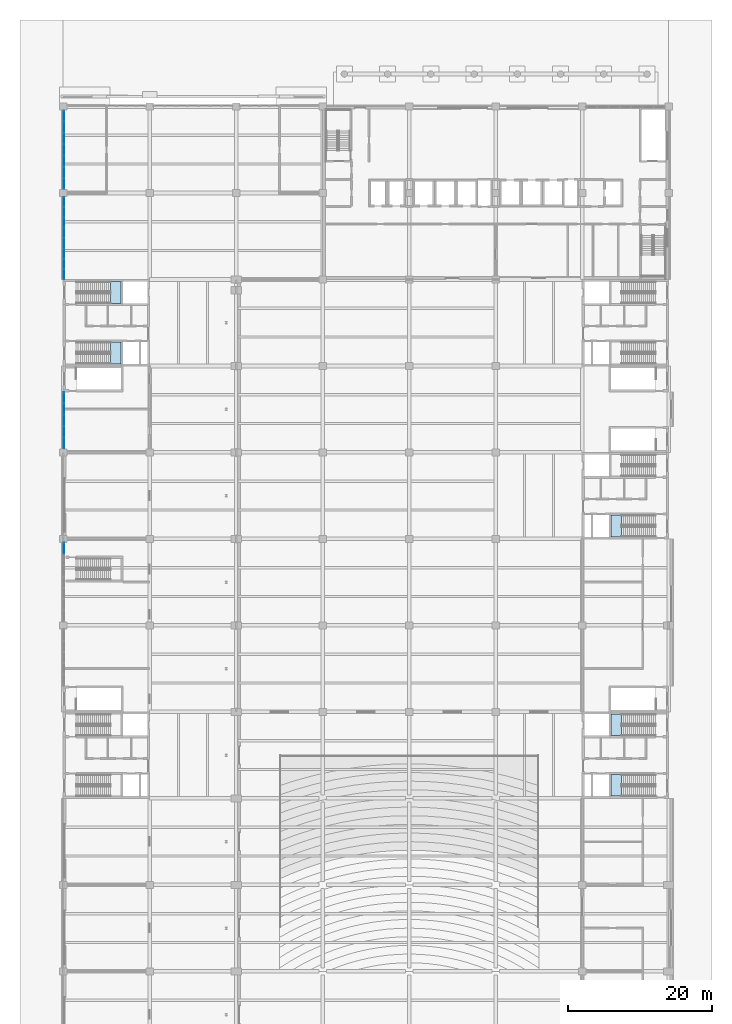
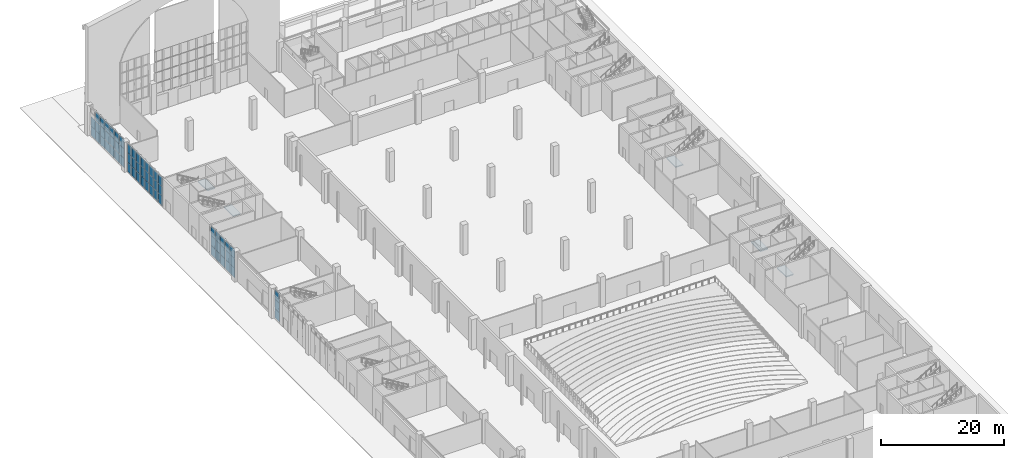
# One storey, part 28 of 59: 62 plates, 5 slabs, 9 elements without a shape of their own.
"""IFC4 building model written with IfcOpenShell, lengths in metres."""

import ifcopenshell
import ifcopenshell.guid

model = None  # the IFC model being written
_history = None  # IfcOwnerHistory: only IFC2X3 demands one
_inside = {}  # id of a spatial element -> (the spatial element, [elements in it])
_under = {}  # id of a project, library or spatial element -> (it, [spatial elements below it])
_declared = {}  # id of a project -> (the project, [libraries it declares])
_typed = {}  # id of a type object -> (the type object, [elements of that type])
_made_of = {}  # id of a material, layer set ... -> (it, [elements and type objects made of it])


def new_model(schema):
    """Start an empty IFC model of exactly this schema.

    Asked for "IFC4X3", IfcOpenShell would pick the latest addendum, in which some entities
    have other attributes; the version numbers below select the first issue.
    IFC2X3 requires an IfcOwnerHistory on every rooted entity: one is made here for all.
    """
    global model, _history
    if schema == "IFC4X3":
        model = ifcopenshell.file(schema_version=(4, 3, 0, 0))
    else:
        model = ifcopenshell.file(schema=schema)
    _inside.clear()
    _under.clear()
    _declared.clear()
    _typed.clear()
    _made_of.clear()
    _history = None
    if model.schema == "IFC2X3":
        org = make("IfcOrganization", Name="unknown")
        user = make(
            "IfcPersonAndOrganization",
            ThePerson=make("IfcPerson", FamilyName="unknown"),
            TheOrganization=org,
        )
        app = make(
            "IfcApplication",
            ApplicationDeveloper=org,
            Version="unknown",
            ApplicationFullName="unknown",
            ApplicationIdentifier="unknown",
        )
        _history = make(
            "IfcOwnerHistory",
            OwningUser=user,
            OwningApplication=app,
            ChangeAction="ADDED",
            CreationDate=0,
        )
    return model


def make(cls, **values):
    """One entity of the class cls with the attributes given. An attribute that is None is left unset."""
    return model.create_entity(
        cls, **{name: value for name, value in values.items() if value is not None}
    )


def rooted(cls, **values):
    """An entity with a GlobalId (a new one), such as an element, a storey or a relation."""
    return make(cls, GlobalId=ifcopenshell.guid.new(), OwnerHistory=_history, **values)


def si_unit(unit_type, name, prefix=None):
    """IfcSIUnit, for example si_unit("LENGTHUNIT", "METRE", prefix="MILLI")."""
    return make("IfcSIUnit", UnitType=unit_type, Prefix=prefix, Name=name)


def assignment(units):
    """IfcUnitAssignment: the units of a project."""
    return None if units is None else make("IfcUnitAssignment", Units=units)


def point(xyz):
    """IfcCartesianPoint."""
    return None if xyz is None else make("IfcCartesianPoint", Coordinates=xyz)


def direction(xyz):
    """IfcDirection."""
    return None if xyz is None else make("IfcDirection", DirectionRatios=xyz)


def frame(location, z_axis=None, x_axis=None):
    """IfcAxis2Placement3D, a coordinate frame: its origin and axes. An axis left out is left unset."""
    return make(
        "IfcAxis2Placement3D",
        Location=point(location),
        Axis=direction(z_axis),
        RefDirection=direction(x_axis),
    )


def frame_2d(location, x_axis=None):
    """IfcAxis2Placement2D, a coordinate frame in the plane: its origin and x axis."""
    return make(
        "IfcAxis2Placement2D", Location=point(location), RefDirection=direction(x_axis)
    )


def origin():
    """The frame at (0, 0, 0) with its axes left unset."""
    return frame((0.0, 0.0, 0.0))


def origin_2d():
    """The frame at (0, 0) in the plane with its x axis left unset."""
    return frame_2d((0.0, 0.0))


def place(relative_to, where):
    """IfcLocalPlacement: puts the frame where relative to a parent placement (None: the world)."""
    return make(
        "IfcLocalPlacement", PlacementRelTo=relative_to, RelativePlacement=where
    )


def context(
    kind, dimensions, precision=None, world=None, true_north=None, identifier=None
):
    """IfcGeometricRepresentationContext, for example the 3D "Model" context."""
    return make(
        "IfcGeometricRepresentationContext",
        ContextIdentifier=identifier,
        ContextType=kind,
        CoordinateSpaceDimension=dimensions,
        Precision=precision,
        WorldCoordinateSystem=world,
        TrueNorth=true_north,
    )


def subcontext(parent, identifier, kind, view, scale=None):
    """IfcGeometricRepresentationSubContext, for example "Body" below "Model"."""
    return make(
        "IfcGeometricRepresentationSubContext",
        ContextIdentifier=identifier,
        ContextType=kind,
        ParentContext=parent,
        TargetScale=scale,
        TargetView=view,
    )


def project(units=None, contexts=None):
    """IfcProject with its units and contexts."""
    return rooted(
        "IfcProject",
        Name="project",
        RepresentationContexts=contexts,
        UnitsInContext=assignment(units),
    )


def spatial(cls, under=None, at=None, **own):
    """A site, building, storey or space (cls), placed at a placement, below another one or the project."""
    s = rooted(cls, ObjectPlacement=at, **own)
    if under is not None:
        _under.setdefault(under.id(), (under, []))[1].append(s)
    return s


def polyline(points):
    """IfcPolyline through the points."""
    return make("IfcPolyline", Points=[point(p) for p in points])


def profile(cls, at=None, kind="AREA", **sizes):
    """A parametric profile (cls). Its sizes go by their IFC names, for example OverallWidth=200.0."""
    return make(cls, ProfileType=kind, Position=at, **sizes)


def rectangle(**sizes):
    """IfcRectangleProfileDef."""
    return profile("IfcRectangleProfileDef", **sizes)


def outline(outer, holes=None, kind="AREA"):
    """IfcArbitraryClosedProfileDef: a profile drawn as a closed curve; with holes, ...WithVoids."""
    if holes is None:
        return make("IfcArbitraryClosedProfileDef", ProfileType=kind, OuterCurve=outer)
    return make(
        "IfcArbitraryProfileDefWithVoids",
        ProfileType=kind,
        OuterCurve=outer,
        InnerCurves=holes,
    )


def extrude(swept, where, along, depth):
    """IfcExtrudedAreaSolid: the profile swept, set in the frame where, extruded along a direction by depth."""
    return make(
        "IfcExtrudedAreaSolid",
        SweptArea=swept,
        Position=where,
        ExtrudedDirection=direction(along),
        Depth=depth,
    )


def shape(context_of_items, identifier, shape_type, items):
    """IfcShapeRepresentation: the items that make up one representation, for example the "Body"."""
    return make(
        "IfcShapeRepresentation",
        ContextOfItems=context_of_items,
        RepresentationIdentifier=identifier,
        RepresentationType=shape_type,
        Items=items,
    )


def material(Name=None, Category=None):
    """IfcMaterial."""
    return make("IfcMaterial", Name=Name, Category=Category)


def layer(
    of_material, thickness, ventilated=None, Name=None, Category=None, Priority=None
):
    """IfcMaterialLayer: one layer of a wall or slab, of a material (None: an air gap)."""
    return make(
        "IfcMaterialLayer",
        Material=of_material,
        LayerThickness=thickness,
        IsVentilated=ventilated,
        Name=Name,
        Category=Category,
        Priority=Priority,
    )


def layer_set(layers, Name=None):
    """IfcMaterialLayerSet."""
    return make("IfcMaterialLayerSet", MaterialLayers=layers, LayerSetName=Name)


def made_of(thing, what):
    """Note that an element or type object is made of a material, layer set ...; save() writes the relation."""
    if what is not None:
        _made_of.setdefault(what.id(), (what, []))[1].append(thing)
    return thing


def type_object(cls, material=None, **own):
    """A type object (cls), such as IfcWallType, which elements share."""
    return made_of(rooted(cls, **own), material)


def element(
    cls,
    number,
    at=None,
    inside=None,
    cuts=None,
    type_object=None,
    material=None,
    context=None,
    identifier="Body",
    shape_type=None,
    held_by="IfcProductDefinitionShape",
    body=None,
    shapes=None,
    **own,
):
    """One element of the class cls, such as IfcWall. Its Tag is "e" and its number.

    at: its placement. inside: the storey or other place that contains it. cuts: it is an
    opening in that element (IfcRelVoidsElement). A single representation is given by context,
    identifier, shape_type and body (its items); several are given by shapes. held_by: the class
    of the entity that holds the representations. save() writes the other relations.
    """
    e = rooted(cls, Tag="e%d" % number, ObjectPlacement=at, **own)
    if body is not None:
        shapes = [shape(context, identifier, shape_type, body)]
    if shapes is not None:
        e.Representation = make(held_by, Representations=shapes)
    if inside is not None:
        _inside.setdefault(inside.id(), (inside, []))[1].append(e)
    if cuts is not None:
        rooted(
            "IfcRelVoidsElement", RelatingBuildingElement=cuts, RelatedOpeningElement=e
        )
    if type_object is not None:
        _typed.setdefault(type_object.id(), (type_object, []))[1].append(e)
    return made_of(e, material)


def aggregate(whole, parts):
    """IfcRelAggregates: a whole, such as a stair, and the parts it consists of."""
    return rooted("IfcRelAggregates", RelatingObject=whole, RelatedObjects=parts)


def save(model, path):
    """Write the relations noted so far, then the file.

    IfcRelAggregates (storeys below a building ...), IfcRelContainedInSpatialStructure (elements
    in a storey), IfcRelDefinesByType, IfcRelAssociatesMaterial and IfcRelDeclares: one each for
    every whole, place, type object, material and project.
    """
    for whole, parts in _under.values():
        aggregate(whole, parts)
    for where, things in _inside.values():
        rooted(
            "IfcRelContainedInSpatialStructure",
            RelatedElements=things,
            RelatingStructure=where,
        )
    for kind, things in _typed.values():
        rooted("IfcRelDefinesByType", RelatedObjects=things, RelatingType=kind)
    for what, things in _made_of.values():
        rooted("IfcRelAssociatesMaterial", RelatedObjects=things, RelatingMaterial=what)
    for by, libraries in _declared.values():
        rooted("IfcRelDeclares", RelatingContext=by, RelatedDefinitions=libraries)
    model.write(path)


model = new_model("IFC4")

# Units and contexts
model_context = context("Model", 3, precision=1e-05, world=origin(), true_north=direction((0.0, 1.0)))
body_context = subcontext(model_context, "Body", "Model", "MODEL_VIEW")
ifc_project = project(units=[si_unit("LENGTHUNIT", "METRE"), si_unit("AREAUNIT", "SQUARE_METRE"), si_unit("VOLUMEUNIT", "CUBIC_METRE"), si_unit("PLANEANGLEUNIT", "RADIAN"), si_unit("MASSUNIT", "GRAM", prefix="KILO")], contexts=[model_context])

# Site, building, storey
site_placement = place(None, origin())
site = spatial("IfcSite", under=ifc_project, at=site_placement, CompositionType="ELEMENT")
building_placement = place(site_placement, origin())
building = spatial("IfcBuilding", under=site, at=building_placement, Name="Lilac Gate Convention Centre", CompositionType="ELEMENT")
storey_placement = place(building_placement, origin())
storey = spatial("IfcBuildingStorey", under=building, at=storey_placement, Name="L00", CompositionType="ELEMENT", Elevation=0.0)

# Curtain wall, plates
ifc_material_1 = material(Name="Aluminium framed double glazing", Category="aluminium")
ifc_layer_1 = layer(ifc_material_1, 0.199951171875)
ifc_layer_set_1 = layer_set([ifc_layer_1], Name="Aluminium framed double glazing")
curtain_wall_type = type_object("IfcCurtainWallType", Name="Unitised curtain wall 1500", PredefinedType="NOTDEFINED", material=ifc_layer_set_1)
curtain_wall_1_placement = place(storey_placement, origin())
curtain_wall_1 = element("IfcCurtainWall", 1, at=curtain_wall_1_placement, inside=storey, type_object=curtain_wall_type, Name="Curtain wall PW L00 1", PredefinedType="NOTDEFINED")
ifc_material_2 = material(Name="Double glazed unit low emissivity")
ifc_layer_2 = layer(ifc_material_2, 0.028076171875)
ifc_layer_set_2 = layer_set([ifc_layer_2], Name="Double glazed unit low emissivity")
plate_type_1 = type_object("IfcPlateType", Name="Curtain wall glass panel 28", PredefinedType="CURTAIN_PANEL", material=ifc_layer_set_2)
plate_1_placement = place(storey_placement, frame((6.10009765625, 205.594970703125, 1.94677734375), z_axis=(0.0, 0.0, 1.0), x_axis=(0.0, -1.0, 0.0)))
plate_1 = element("IfcPlate", 2, at=plate_1_placement, type_object=plate_type_1, Name="CW panel 1.2", PredefinedType="CURTAIN_PANEL", context=body_context, shape_type="SweptSolid", body=[
    extrude(rectangle(XDim=1.489990234375, YDim=0.028076171875, at=origin_2d()), origin(), (0.0, 0.0, 1.0), 1.856689453125),
])
plate_2_placement = place(storey_placement, frame((6.10009765625, 205.594970703125, 3.86328125), z_axis=(0.0, 0.0, 1.0), x_axis=(0.0, -1.0, 0.0)))
plate_2 = element("IfcPlate", 3, at=plate_2_placement, type_object=plate_type_1, Name="CW panel 1.3", PredefinedType="CURTAIN_PANEL", context=body_context, shape_type="SweptSolid", body=[
    extrude(rectangle(XDim=1.489990234375, YDim=0.028076171875, at=origin_2d()), origin(), (0.0, 0.0, 1.0), 1.82666015625),
])
plate_3_placement = place(storey_placement, frame((6.10009765625, 204.030029296875, 1.94677734375), z_axis=(0.0, 0.0, 1.0), x_axis=(0.0, -1.0, 0.0)))
plate_3 = element("IfcPlate", 4, at=plate_3_placement, type_object=plate_type_1, Name="CW panel 2.2", PredefinedType="CURTAIN_PANEL", context=body_context, shape_type="SweptSolid", body=[
    extrude(rectangle(XDim=1.52001953125, YDim=0.028076171875, at=origin_2d()), origin(), (0.0, 0.0, 1.0), 1.856689453125),
])
plate_4_placement = place(storey_placement, frame((6.10009765625, 204.030029296875, 3.86328125), z_axis=(0.0, 0.0, 1.0), x_axis=(0.0, -1.0, 0.0)))
plate_4 = element("IfcPlate", 5, at=plate_4_placement, type_object=plate_type_1, Name="CW panel 2.3", PredefinedType="CURTAIN_PANEL", context=body_context, shape_type="SweptSolid", body=[
    extrude(rectangle(XDim=1.52001953125, YDim=0.028076171875, at=origin_2d()), origin(), (0.0, 0.0, 1.0), 1.82666015625),
])
plate_5_placement = place(storey_placement, frame((6.10009765625, 202.449951171875, 1.94677734375), z_axis=(0.0, 0.0, 1.0), x_axis=(0.0, -1.0, 0.0)))
plate_5 = element("IfcPlate", 6, at=plate_5_placement, type_object=plate_type_1, Name="CW panel 3.2", PredefinedType="CURTAIN_PANEL", context=body_context, shape_type="SweptSolid", body=[
    extrude(rectangle(XDim=1.52001953125, YDim=0.028076171875, at=origin_2d()), origin(), (0.0, 0.0, 1.0), 1.856689453125),
])
plate_6_placement = place(storey_placement, frame((6.10009765625, 202.449951171875, 3.86328125), z_axis=(0.0, 0.0, 1.0), x_axis=(0.0, -1.0, 0.0)))
plate_6 = element("IfcPlate", 7, at=plate_6_placement, type_object=plate_type_1, Name="CW panel 3.3", PredefinedType="CURTAIN_PANEL", context=body_context, shape_type="SweptSolid", body=[
    extrude(rectangle(XDim=1.52001953125, YDim=0.028076171875, at=origin_2d()), origin(), (0.0, 0.0, 1.0), 1.82666015625),
])
plate_7_placement = place(storey_placement, frame((6.10009765625, 200.869873046875, 1.94677734375), z_axis=(0.0, 0.0, 1.0), x_axis=(0.0, -1.0, 0.0)))
plate_7 = element("IfcPlate", 8, at=plate_7_placement, type_object=plate_type_1, Name="CW panel 4.2", PredefinedType="CURTAIN_PANEL", context=body_context, shape_type="SweptSolid", body=[
    extrude(rectangle(XDim=1.52001953125, YDim=0.028076171875, at=origin_2d()), origin(), (0.0, 0.0, 1.0), 1.856689453125),
])
plate_8_placement = place(storey_placement, frame((6.10009765625, 200.869873046875, 3.86328125), z_axis=(0.0, 0.0, 1.0), x_axis=(0.0, -1.0, 0.0)))
plate_8 = element("IfcPlate", 9, at=plate_8_placement, type_object=plate_type_1, Name="CW panel 4.3", PredefinedType="CURTAIN_PANEL", context=body_context, shape_type="SweptSolid", body=[
    extrude(rectangle(XDim=1.52001953125, YDim=0.028076171875, at=origin_2d()), origin(), (0.0, 0.0, 1.0), 1.82666015625),
])
plate_9_placement = place(storey_placement, frame((6.10009765625, 199.304931640625, 1.94677734375), z_axis=(0.0, 0.0, 1.0), x_axis=(0.0, -1.0, 0.0)))
plate_9 = element("IfcPlate", 10, at=plate_9_placement, type_object=plate_type_1, Name="CW panel 5.2", PredefinedType="CURTAIN_PANEL", context=body_context, shape_type="SweptSolid", body=[
    extrude(rectangle(XDim=1.489990234375, YDim=0.028076171875, at=origin_2d()), origin(), (0.0, 0.0, 1.0), 1.856689453125),
])
plate_10_placement = place(storey_placement, frame((6.10009765625, 199.304931640625, 3.86328125), z_axis=(0.0, 0.0, 1.0), x_axis=(0.0, -1.0, 0.0)))
plate_10 = element("IfcPlate", 11, at=plate_10_placement, type_object=plate_type_1, Name="CW panel 5.3", PredefinedType="CURTAIN_PANEL", context=body_context, shape_type="SweptSolid", body=[
    extrude(rectangle(XDim=1.489990234375, YDim=0.028076171875, at=origin_2d()), origin(), (0.0, 0.0, 1.0), 1.82666015625),
])

curtain_wall_2_placement = place(storey_placement, origin())
curtain_wall_2 = element("IfcCurtainWall", 12, at=curtain_wall_2_placement, inside=storey, type_object=curtain_wall_type, Name="Curtain wall PW L00 3", PredefinedType="NOTDEFINED")
plate_11_placement = place(storey_placement, frame((6.10009765625, 184.69921875, 1.94677734375), z_axis=(0.0, 0.0, 1.0), x_axis=(0.0, -1.0, 0.0)))
plate_11 = element("IfcPlate", 13, at=plate_11_placement, type_object=plate_type_1, Name="CW panel 1.2", PredefinedType="CURTAIN_PANEL", context=body_context, shape_type="SweptSolid", body=[
    extrude(rectangle(XDim=1.4814453125, YDim=0.028076171875, at=origin_2d()), origin(), (0.0, 0.0, 1.0), 1.856689453125),
])
plate_12_placement = place(storey_placement, frame((6.10009765625, 184.69921875, 3.86328125), z_axis=(0.0, 0.0, 1.0), x_axis=(0.0, -1.0, 0.0)))
plate_12 = element("IfcPlate", 14, at=plate_12_placement, type_object=plate_type_1, Name="CW panel 1.3", PredefinedType="CURTAIN_PANEL", context=body_context, shape_type="SweptSolid", body=[
    extrude(rectangle(XDim=1.4814453125, YDim=0.028076171875, at=origin_2d()), origin(), (0.0, 0.0, 1.0), 1.82666015625),
])

curtain_wall_3_placement = place(storey_placement, origin())
curtain_wall_3 = element("IfcCurtainWall", 15, at=curtain_wall_3_placement, inside=storey, type_object=curtain_wall_type, Name="Curtain wall GW L00 1", PredefinedType="NOTDEFINED")
plate_13_placement = place(storey_placement, frame((6.10009765625, 244.69921875, 1.94677734375), z_axis=(0.0, 0.0, 1.0), x_axis=(0.0, -1.0, 0.0)))
plate_13 = element("IfcPlate", 16, at=plate_13_placement, type_object=plate_type_1, Name="CW panel 1.2", PredefinedType="CURTAIN_PANEL", context=body_context, shape_type="SweptSolid", body=[
    extrude(rectangle(XDim=1.4814453125, YDim=0.028076171875, at=origin_2d()), origin(), (0.0, 0.0, 1.0), 1.856689453125),
])
plate_14_placement = place(storey_placement, frame((6.10009765625, 243.142822265625, 1.94677734375), z_axis=(0.0, 0.0, 1.0), x_axis=(0.0, -1.0, 0.0)))
plate_14 = element("IfcPlate", 17, at=plate_14_placement, type_object=plate_type_1, Name="CW panel 2.2", PredefinedType="CURTAIN_PANEL", context=body_context, shape_type="SweptSolid", body=[
    extrude(rectangle(XDim=1.511474609375, YDim=0.028076171875, at=origin_2d()), origin(), (0.0, 0.0, 1.0), 1.856689453125),
])
plate_15_placement = place(storey_placement, frame((6.10009765625, 243.142822265625, 3.86328125), z_axis=(0.0, 0.0, 1.0), x_axis=(0.0, -1.0, 0.0)))
plate_15 = element("IfcPlate", 18, at=plate_15_placement, type_object=plate_type_1, Name="CW panel 2.3", PredefinedType="CURTAIN_PANEL", context=body_context, shape_type="SweptSolid", body=[
    extrude(rectangle(XDim=1.511474609375, YDim=0.028076171875, at=origin_2d()), origin(), (0.0, 0.0, 1.0), 1.82666015625),
])
plate_16_placement = place(storey_placement, frame((6.10009765625, 241.571533203125, 1.94677734375), z_axis=(0.0, 0.0, 1.0), x_axis=(0.0, -1.0, 0.0)))
plate_16 = element("IfcPlate", 19, at=plate_16_placement, type_object=plate_type_1, Name="CW panel 3.2", PredefinedType="CURTAIN_PANEL", context=body_context, shape_type="SweptSolid", body=[
    extrude(rectangle(XDim=1.511474609375, YDim=0.028076171875, at=origin_2d()), origin(), (0.0, 0.0, 1.0), 1.856689453125),
])
plate_17_placement = place(storey_placement, frame((6.10009765625, 241.571533203125, 3.86328125), z_axis=(0.0, 0.0, 1.0), x_axis=(0.0, -1.0, 0.0)))
plate_17 = element("IfcPlate", 20, at=plate_17_placement, type_object=plate_type_1, Name="CW panel 3.3", PredefinedType="CURTAIN_PANEL", context=body_context, shape_type="SweptSolid", body=[
    extrude(rectangle(XDim=1.511474609375, YDim=0.028076171875, at=origin_2d()), origin(), (0.0, 0.0, 1.0), 1.82666015625),
])
plate_18_placement = place(storey_placement, frame((6.10009765625, 240.0, 1.94677734375), z_axis=(0.0, 0.0, 1.0), x_axis=(0.0, -1.0, 0.0)))
plate_18 = element("IfcPlate", 21, at=plate_18_placement, type_object=plate_type_1, Name="CW panel 4.2", PredefinedType="CURTAIN_PANEL", context=body_context, shape_type="SweptSolid", body=[
    extrude(rectangle(XDim=1.511474609375, YDim=0.028076171875, at=origin_2d()), origin(), (0.0, 0.0, 1.0), 1.856689453125),
])
plate_19_placement = place(storey_placement, frame((6.10009765625, 240.0, 3.86328125), z_axis=(0.0, 0.0, 1.0), x_axis=(0.0, -1.0, 0.0)))
plate_19 = element("IfcPlate", 22, at=plate_19_placement, type_object=plate_type_1, Name="CW panel 4.3", PredefinedType="CURTAIN_PANEL", context=body_context, shape_type="SweptSolid", body=[
    extrude(rectangle(XDim=1.511474609375, YDim=0.028076171875, at=origin_2d()), origin(), (0.0, 0.0, 1.0), 1.82666015625),
])
plate_20_placement = place(storey_placement, frame((6.10009765625, 238.428466796875, 1.94677734375), z_axis=(0.0, 0.0, 1.0), x_axis=(0.0, -1.0, 0.0)))
plate_20 = element("IfcPlate", 23, at=plate_20_placement, type_object=plate_type_1, Name="CW panel 5.2", PredefinedType="CURTAIN_PANEL", context=body_context, shape_type="SweptSolid", body=[
    extrude(rectangle(XDim=1.511474609375, YDim=0.028076171875, at=origin_2d()), origin(), (0.0, 0.0, 1.0), 1.856689453125),
])
plate_21_placement = place(storey_placement, frame((6.10009765625, 238.428466796875, 3.86328125), z_axis=(0.0, 0.0, 1.0), x_axis=(0.0, -1.0, 0.0)))
plate_21 = element("IfcPlate", 24, at=plate_21_placement, type_object=plate_type_1, Name="CW panel 5.3", PredefinedType="CURTAIN_PANEL", context=body_context, shape_type="SweptSolid", body=[
    extrude(rectangle(XDim=1.511474609375, YDim=0.028076171875, at=origin_2d()), origin(), (0.0, 0.0, 1.0), 1.82666015625),
])
plate_22_placement = place(storey_placement, frame((6.10009765625, 236.857177734375, 1.94677734375), z_axis=(0.0, 0.0, 1.0), x_axis=(0.0, -1.0, 0.0)))
plate_22 = element("IfcPlate", 25, at=plate_22_placement, type_object=plate_type_1, Name="CW panel 6.2", PredefinedType="CURTAIN_PANEL", context=body_context, shape_type="SweptSolid", body=[
    extrude(rectangle(XDim=1.511474609375, YDim=0.028076171875, at=origin_2d()), origin(), (0.0, 0.0, 1.0), 1.856689453125),
])
plate_23_placement = place(storey_placement, frame((6.10009765625, 236.857177734375, 3.86328125), z_axis=(0.0, 0.0, 1.0), x_axis=(0.0, -1.0, 0.0)))
plate_23 = element("IfcPlate", 26, at=plate_23_placement, type_object=plate_type_1, Name="CW panel 6.3", PredefinedType="CURTAIN_PANEL", context=body_context, shape_type="SweptSolid", body=[
    extrude(rectangle(XDim=1.511474609375, YDim=0.028076171875, at=origin_2d()), origin(), (0.0, 0.0, 1.0), 1.82666015625),
])
plate_24_placement = place(storey_placement, frame((6.10009765625, 235.30078125, 1.94677734375), z_axis=(0.0, 0.0, 1.0), x_axis=(0.0, -1.0, 0.0)))
plate_24 = element("IfcPlate", 27, at=plate_24_placement, type_object=plate_type_1, Name="CW panel 7.2", PredefinedType="CURTAIN_PANEL", context=body_context, shape_type="SweptSolid", body=[
    extrude(rectangle(XDim=1.4814453125, YDim=0.028076171875, at=origin_2d()), origin(), (0.0, 0.0, 1.0), 1.856689453125),
])
plate_25_placement = place(storey_placement, frame((6.10009765625, 235.30078125, 3.86328125), z_axis=(0.0, 0.0, 1.0), x_axis=(0.0, -1.0, 0.0)))
plate_25 = element("IfcPlate", 28, at=plate_25_placement, type_object=plate_type_1, Name="CW panel 7.3", PredefinedType="CURTAIN_PANEL", context=body_context, shape_type="SweptSolid", body=[
    extrude(rectangle(XDim=1.4814453125, YDim=0.028076171875, at=origin_2d()), origin(), (0.0, 0.0, 1.0), 1.82666015625),
])

curtain_wall_4_placement = place(storey_placement, origin())
curtain_wall_4 = element("IfcCurtainWall", 29, at=curtain_wall_4_placement, inside=storey, type_object=curtain_wall_type, Name="Curtain wall GW L00 2", PredefinedType="NOTDEFINED")
plate_26_placement = place(storey_placement, frame((6.10009765625, 232.766357421875, 1.94677734375), z_axis=(0.0, 0.0, 1.0), x_axis=(0.0, -1.0, 0.0)))
plate_26 = element("IfcPlate", 30, at=plate_26_placement, type_object=plate_type_1, Name="CW panel 1.2", PredefinedType="CURTAIN_PANEL", context=body_context, shape_type="SweptSolid", body=[
    extrude(rectangle(XDim=1.347412109375, YDim=0.028076171875, at=origin_2d()), origin(), (0.0, 0.0, 1.0), 1.856689453125),
])
plate_27_placement = place(storey_placement, frame((6.10009765625, 232.766357421875, 3.86328125), z_axis=(0.0, 0.0, 1.0), x_axis=(0.0, -1.0, 0.0)))
plate_27 = element("IfcPlate", 31, at=plate_27_placement, type_object=plate_type_1, Name="CW panel 1.3", PredefinedType="CURTAIN_PANEL", context=body_context, shape_type="SweptSolid", body=[
    extrude(rectangle(XDim=1.347412109375, YDim=0.028076171875, at=origin_2d()), origin(), (0.0, 0.0, 1.0), 1.82666015625),
])
plate_28_placement = place(storey_placement, frame((6.10009765625, 231.34375, 1.94677734375), z_axis=(0.0, 0.0, 1.0), x_axis=(0.0, -1.0, 0.0)))
plate_28 = element("IfcPlate", 32, at=plate_28_placement, type_object=plate_type_1, Name="CW panel 2.2", PredefinedType="CURTAIN_PANEL", context=body_context, shape_type="SweptSolid", body=[
    extrude(rectangle(XDim=1.37744140625, YDim=0.028076171875, at=origin_2d()), origin(), (0.0, 0.0, 1.0), 1.856689453125),
])
plate_29_placement = place(storey_placement, frame((6.10009765625, 231.34375, 3.86328125), z_axis=(0.0, 0.0, 1.0), x_axis=(0.0, -1.0, 0.0)))
plate_29 = element("IfcPlate", 33, at=plate_29_placement, type_object=plate_type_1, Name="CW panel 2.3", PredefinedType="CURTAIN_PANEL", context=body_context, shape_type="SweptSolid", body=[
    extrude(rectangle(XDim=1.37744140625, YDim=0.028076171875, at=origin_2d()), origin(), (0.0, 0.0, 1.0), 1.82666015625),
])
plate_30_placement = place(storey_placement, frame((6.10009765625, 229.90625, 1.94677734375), z_axis=(0.0, 0.0, 1.0), x_axis=(0.0, -1.0, 0.0)))
plate_30 = element("IfcPlate", 34, at=plate_30_placement, type_object=plate_type_1, Name="CW panel 3.2", PredefinedType="CURTAIN_PANEL", context=body_context, shape_type="SweptSolid", body=[
    extrude(rectangle(XDim=1.37744140625, YDim=0.028076171875, at=origin_2d()), origin(), (0.0, 0.0, 1.0), 1.856689453125),
])
plate_31_placement = place(storey_placement, frame((6.10009765625, 229.90625, 3.86328125), z_axis=(0.0, 0.0, 1.0), x_axis=(0.0, -1.0, 0.0)))
plate_31 = element("IfcPlate", 35, at=plate_31_placement, type_object=plate_type_1, Name="CW panel 3.3", PredefinedType="CURTAIN_PANEL", context=body_context, shape_type="SweptSolid", body=[
    extrude(rectangle(XDim=1.37744140625, YDim=0.028076171875, at=origin_2d()), origin(), (0.0, 0.0, 1.0), 1.82666015625),
])
plate_32_placement = place(storey_placement, frame((6.10009765625, 228.46875, 1.94677734375), z_axis=(0.0, 0.0, 1.0), x_axis=(0.0, -1.0, 0.0)))
plate_32 = element("IfcPlate", 36, at=plate_32_placement, type_object=plate_type_1, Name="CW panel 4.2", PredefinedType="CURTAIN_PANEL", context=body_context, shape_type="SweptSolid", body=[
    extrude(rectangle(XDim=1.37744140625, YDim=0.028076171875, at=origin_2d()), origin(), (0.0, 0.0, 1.0), 1.856689453125),
])
plate_33_placement = place(storey_placement, frame((6.10009765625, 228.46875, 3.86328125), z_axis=(0.0, 0.0, 1.0), x_axis=(0.0, -1.0, 0.0)))
plate_33 = element("IfcPlate", 37, at=plate_33_placement, type_object=plate_type_1, Name="CW panel 4.3", PredefinedType="CURTAIN_PANEL", context=body_context, shape_type="SweptSolid", body=[
    extrude(rectangle(XDim=1.37744140625, YDim=0.028076171875, at=origin_2d()), origin(), (0.0, 0.0, 1.0), 1.82666015625),
])
plate_34_placement = place(storey_placement, frame((6.10009765625, 227.03125, 1.94677734375), z_axis=(0.0, 0.0, 1.0), x_axis=(0.0, -1.0, 0.0)))
plate_34 = element("IfcPlate", 38, at=plate_34_placement, type_object=plate_type_1, Name="CW panel 5.2", PredefinedType="CURTAIN_PANEL", context=body_context, shape_type="SweptSolid", body=[
    extrude(rectangle(XDim=1.37744140625, YDim=0.028076171875, at=origin_2d()), origin(), (0.0, 0.0, 1.0), 1.856689453125),
])
plate_35_placement = place(storey_placement, frame((6.10009765625, 227.03125, 3.86328125), z_axis=(0.0, 0.0, 1.0), x_axis=(0.0, -1.0, 0.0)))
plate_35 = element("IfcPlate", 39, at=plate_35_placement, type_object=plate_type_1, Name="CW panel 5.3", PredefinedType="CURTAIN_PANEL", context=body_context, shape_type="SweptSolid", body=[
    extrude(rectangle(XDim=1.37744140625, YDim=0.028076171875, at=origin_2d()), origin(), (0.0, 0.0, 1.0), 1.82666015625),
])
plate_36_placement = place(storey_placement, frame((6.10009765625, 225.59375, 1.94677734375), z_axis=(0.0, 0.0, 1.0), x_axis=(0.0, -1.0, 0.0)))
plate_36 = element("IfcPlate", 40, at=plate_36_placement, type_object=plate_type_1, Name="CW panel 6.2", PredefinedType="CURTAIN_PANEL", context=body_context, shape_type="SweptSolid", body=[
    extrude(rectangle(XDim=1.37744140625, YDim=0.028076171875, at=origin_2d()), origin(), (0.0, 0.0, 1.0), 1.856689453125),
])
plate_37_placement = place(storey_placement, frame((6.10009765625, 225.59375, 3.86328125), z_axis=(0.0, 0.0, 1.0), x_axis=(0.0, -1.0, 0.0)))
plate_37 = element("IfcPlate", 41, at=plate_37_placement, type_object=plate_type_1, Name="CW panel 6.3", PredefinedType="CURTAIN_PANEL", context=body_context, shape_type="SweptSolid", body=[
    extrude(rectangle(XDim=1.37744140625, YDim=0.028076171875, at=origin_2d()), origin(), (0.0, 0.0, 1.0), 1.82666015625),
])
plate_38_placement = place(storey_placement, frame((6.10009765625, 224.15625, 1.94677734375), z_axis=(0.0, 0.0, 1.0), x_axis=(0.0, -1.0, 0.0)))
plate_38 = element("IfcPlate", 42, at=plate_38_placement, type_object=plate_type_1, Name="CW panel 7.2", PredefinedType="CURTAIN_PANEL", context=body_context, shape_type="SweptSolid", body=[
    extrude(rectangle(XDim=1.37744140625, YDim=0.028076171875, at=origin_2d()), origin(), (0.0, 0.0, 1.0), 1.856689453125),
])
plate_39_placement = place(storey_placement, frame((6.10009765625, 224.15625, 3.86328125), z_axis=(0.0, 0.0, 1.0), x_axis=(0.0, -1.0, 0.0)))
plate_39 = element("IfcPlate", 43, at=plate_39_placement, type_object=plate_type_1, Name="CW panel 7.3", PredefinedType="CURTAIN_PANEL", context=body_context, shape_type="SweptSolid", body=[
    extrude(rectangle(XDim=1.37744140625, YDim=0.028076171875, at=origin_2d()), origin(), (0.0, 0.0, 1.0), 1.82666015625),
])
plate_40_placement = place(storey_placement, frame((6.10009765625, 222.733642578125, 1.94677734375), z_axis=(0.0, 0.0, 1.0), x_axis=(0.0, -1.0, 0.0)))
plate_40 = element("IfcPlate", 44, at=plate_40_placement, type_object=plate_type_1, Name="CW panel 8.2", PredefinedType="CURTAIN_PANEL", context=body_context, shape_type="SweptSolid", body=[
    extrude(rectangle(XDim=1.347412109375, YDim=0.028076171875, at=origin_2d()), origin(), (0.0, 0.0, 1.0), 1.856689453125),
])
plate_41_placement = place(storey_placement, frame((6.10009765625, 222.733642578125, 3.86328125), z_axis=(0.0, 0.0, 1.0), x_axis=(0.0, -1.0, 0.0)))
plate_41 = element("IfcPlate", 45, at=plate_41_placement, type_object=plate_type_1, Name="CW panel 8.3", PredefinedType="CURTAIN_PANEL", context=body_context, shape_type="SweptSolid", body=[
    extrude(rectangle(XDim=1.347412109375, YDim=0.028076171875, at=origin_2d()), origin(), (0.0, 0.0, 1.0), 1.82666015625),
])

# Plate
ifc_material_3 = material(Name="Insulated aluminium spandrel panel", Category="aluminium")
ifc_layer_3 = layer(ifc_material_3, 0.028076171875)
ifc_layer_set_3 = layer_set([ifc_layer_3], Name="Insulated aluminium spandrel panel")
plate_type_2 = type_object("IfcPlateType", Name="Curtain wall spandrel panel 28", PredefinedType="CURTAIN_PANEL", material=ifc_layer_set_3)
plate_42_placement = place(storey_placement, frame((6.10009765625, 205.594970703125, 0.06005859375), z_axis=(0.0, 0.0, 1.0), x_axis=(0.0, -1.0, 0.0)))
plate_42 = element("IfcPlate", 46, at=plate_42_placement, type_object=plate_type_2, Name="CW spandrel 1.1", PredefinedType="CURTAIN_PANEL", context=body_context, shape_type="SweptSolid", body=[
    extrude(rectangle(XDim=1.489990234375, YDim=0.028076171875, at=origin_2d()), origin(), (0.0, 0.0, 1.0), 1.82666015625),
])

plate_43_placement = place(storey_placement, frame((6.10009765625, 204.030029296875, 0.06005859375), z_axis=(0.0, 0.0, 1.0), x_axis=(0.0, -1.0, 0.0)))
plate_43 = element("IfcPlate", 47, at=plate_43_placement, type_object=plate_type_2, Name="CW spandrel 2.1", PredefinedType="CURTAIN_PANEL", context=body_context, shape_type="SweptSolid", body=[
    extrude(rectangle(XDim=1.52001953125, YDim=0.028076171875, at=origin_2d()), origin(), (0.0, 0.0, 1.0), 1.82666015625),
])

plate_44_placement = place(storey_placement, frame((6.10009765625, 202.449951171875, 0.06005859375), z_axis=(0.0, 0.0, 1.0), x_axis=(0.0, -1.0, 0.0)))
plate_44 = element("IfcPlate", 48, at=plate_44_placement, type_object=plate_type_2, Name="CW spandrel 3.1", PredefinedType="CURTAIN_PANEL", context=body_context, shape_type="SweptSolid", body=[
    extrude(rectangle(XDim=1.52001953125, YDim=0.028076171875, at=origin_2d()), origin(), (0.0, 0.0, 1.0), 1.82666015625),
])

plate_45_placement = place(storey_placement, frame((6.10009765625, 200.869873046875, 0.06005859375), z_axis=(0.0, 0.0, 1.0), x_axis=(0.0, -1.0, 0.0)))
plate_45 = element("IfcPlate", 49, at=plate_45_placement, type_object=plate_type_2, Name="CW spandrel 4.1", PredefinedType="CURTAIN_PANEL", context=body_context, shape_type="SweptSolid", body=[
    extrude(rectangle(XDim=1.52001953125, YDim=0.028076171875, at=origin_2d()), origin(), (0.0, 0.0, 1.0), 1.82666015625),
])

plate_46_placement = place(storey_placement, frame((6.10009765625, 199.304931640625, 0.06005859375), z_axis=(0.0, 0.0, 1.0), x_axis=(0.0, -1.0, 0.0)))
plate_46 = element("IfcPlate", 50, at=plate_46_placement, type_object=plate_type_2, Name="CW spandrel 5.1", PredefinedType="CURTAIN_PANEL", context=body_context, shape_type="SweptSolid", body=[
    extrude(rectangle(XDim=1.489990234375, YDim=0.028076171875, at=origin_2d()), origin(), (0.0, 0.0, 1.0), 1.82666015625),
])

aggregate(curtain_wall_1, [plate_42, plate_1, plate_2, plate_43, plate_3, plate_4, plate_44, plate_5, plate_6, plate_45, plate_7, plate_8, plate_46, plate_9, plate_10])

plate_47_placement = place(storey_placement, frame((6.10009765625, 184.69921875, 0.06005859375), z_axis=(0.0, 0.0, 1.0), x_axis=(0.0, -1.0, 0.0)))
plate_47 = element("IfcPlate", 51, at=plate_47_placement, type_object=plate_type_2, Name="CW spandrel 1.1", PredefinedType="CURTAIN_PANEL", context=body_context, shape_type="SweptSolid", body=[
    extrude(rectangle(XDim=1.4814453125, YDim=0.028076171875, at=origin_2d()), origin(), (0.0, 0.0, 1.0), 1.82666015625),
])

aggregate(curtain_wall_2, [plate_47, plate_11, plate_12])

plate_48_placement = place(storey_placement, frame((6.10009765625, 244.69921875, 0.06005859375), z_axis=(0.0, 0.0, 1.0), x_axis=(0.0, -1.0, 0.0)))
plate_48 = element("IfcPlate", 52, at=plate_48_placement, type_object=plate_type_2, Name="CW spandrel 1.1", PredefinedType="CURTAIN_PANEL", context=body_context, shape_type="SweptSolid", body=[
    extrude(rectangle(XDim=1.4814453125, YDim=0.028076171875, at=origin_2d()), origin(), (0.0, 0.0, 1.0), 1.82666015625),
])

plate_49_placement = place(storey_placement, frame((6.10009765625, 243.142822265625, 0.06005859375), z_axis=(0.0, 0.0, 1.0), x_axis=(0.0, -1.0, 0.0)))
plate_49 = element("IfcPlate", 53, at=plate_49_placement, type_object=plate_type_2, Name="CW spandrel 2.1", PredefinedType="CURTAIN_PANEL", context=body_context, shape_type="SweptSolid", body=[
    extrude(rectangle(XDim=1.511474609375, YDim=0.028076171875, at=origin_2d()), origin(), (0.0, 0.0, 1.0), 1.82666015625),
])

plate_50_placement = place(storey_placement, frame((6.10009765625, 241.571533203125, 0.06005859375), z_axis=(0.0, 0.0, 1.0), x_axis=(0.0, -1.0, 0.0)))
plate_50 = element("IfcPlate", 54, at=plate_50_placement, type_object=plate_type_2, Name="CW spandrel 3.1", PredefinedType="CURTAIN_PANEL", context=body_context, shape_type="SweptSolid", body=[
    extrude(rectangle(XDim=1.511474609375, YDim=0.028076171875, at=origin_2d()), origin(), (0.0, 0.0, 1.0), 1.82666015625),
])

plate_51_placement = place(storey_placement, frame((6.10009765625, 240.0, 0.06005859375), z_axis=(0.0, 0.0, 1.0), x_axis=(0.0, -1.0, 0.0)))
plate_51 = element("IfcPlate", 55, at=plate_51_placement, type_object=plate_type_2, Name="CW spandrel 4.1", PredefinedType="CURTAIN_PANEL", context=body_context, shape_type="SweptSolid", body=[
    extrude(rectangle(XDim=1.511474609375, YDim=0.028076171875, at=origin_2d()), origin(), (0.0, 0.0, 1.0), 1.82666015625),
])

plate_52_placement = place(storey_placement, frame((6.10009765625, 238.428466796875, 0.06005859375), z_axis=(0.0, 0.0, 1.0), x_axis=(0.0, -1.0, 0.0)))
plate_52 = element("IfcPlate", 56, at=plate_52_placement, type_object=plate_type_2, Name="CW spandrel 5.1", PredefinedType="CURTAIN_PANEL", context=body_context, shape_type="SweptSolid", body=[
    extrude(rectangle(XDim=1.511474609375, YDim=0.028076171875, at=origin_2d()), origin(), (0.0, 0.0, 1.0), 1.82666015625),
])

plate_53_placement = place(storey_placement, frame((6.10009765625, 236.857177734375, 0.06005859375), z_axis=(0.0, 0.0, 1.0), x_axis=(0.0, -1.0, 0.0)))
plate_53 = element("IfcPlate", 57, at=plate_53_placement, type_object=plate_type_2, Name="CW spandrel 6.1", PredefinedType="CURTAIN_PANEL", context=body_context, shape_type="SweptSolid", body=[
    extrude(rectangle(XDim=1.511474609375, YDim=0.028076171875, at=origin_2d()), origin(), (0.0, 0.0, 1.0), 1.82666015625),
])

plate_54_placement = place(storey_placement, frame((6.10009765625, 235.30078125, 0.06005859375), z_axis=(0.0, 0.0, 1.0), x_axis=(0.0, -1.0, 0.0)))
plate_54 = element("IfcPlate", 58, at=plate_54_placement, type_object=plate_type_2, Name="CW spandrel 7.1", PredefinedType="CURTAIN_PANEL", context=body_context, shape_type="SweptSolid", body=[
    extrude(rectangle(XDim=1.4814453125, YDim=0.028076171875, at=origin_2d()), origin(), (0.0, 0.0, 1.0), 1.82666015625),
])

aggregate(curtain_wall_3, [plate_48, plate_13, plate_49, plate_14, plate_15, plate_50, plate_16, plate_17, plate_51, plate_18, plate_19, plate_52, plate_20, plate_21, plate_53, plate_22, plate_23, plate_54, plate_24, plate_25])

plate_55_placement = place(storey_placement, frame((6.10009765625, 232.766357421875, 0.06005859375), z_axis=(0.0, 0.0, 1.0), x_axis=(0.0, -1.0, 0.0)))
plate_55 = element("IfcPlate", 59, at=plate_55_placement, type_object=plate_type_2, Name="CW spandrel 1.1", PredefinedType="CURTAIN_PANEL", context=body_context, shape_type="SweptSolid", body=[
    extrude(rectangle(XDim=1.347412109375, YDim=0.028076171875, at=origin_2d()), origin(), (0.0, 0.0, 1.0), 1.82666015625),
])

plate_56_placement = place(storey_placement, frame((6.10009765625, 231.34375, 0.06005859375), z_axis=(0.0, 0.0, 1.0), x_axis=(0.0, -1.0, 0.0)))
plate_56 = element("IfcPlate", 60, at=plate_56_placement, type_object=plate_type_2, Name="CW spandrel 2.1", PredefinedType="CURTAIN_PANEL", context=body_context, shape_type="SweptSolid", body=[
    extrude(rectangle(XDim=1.37744140625, YDim=0.028076171875, at=origin_2d()), origin(), (0.0, 0.0, 1.0), 1.82666015625),
])

plate_57_placement = place(storey_placement, frame((6.10009765625, 229.90625, 0.06005859375), z_axis=(0.0, 0.0, 1.0), x_axis=(0.0, -1.0, 0.0)))
plate_57 = element("IfcPlate", 61, at=plate_57_placement, type_object=plate_type_2, Name="CW spandrel 3.1", PredefinedType="CURTAIN_PANEL", context=body_context, shape_type="SweptSolid", body=[
    extrude(rectangle(XDim=1.37744140625, YDim=0.028076171875, at=origin_2d()), origin(), (0.0, 0.0, 1.0), 1.82666015625),
])

plate_58_placement = place(storey_placement, frame((6.10009765625, 228.46875, 0.06005859375), z_axis=(0.0, 0.0, 1.0), x_axis=(0.0, -1.0, 0.0)))
plate_58 = element("IfcPlate", 62, at=plate_58_placement, type_object=plate_type_2, Name="CW spandrel 4.1", PredefinedType="CURTAIN_PANEL", context=body_context, shape_type="SweptSolid", body=[
    extrude(rectangle(XDim=1.37744140625, YDim=0.028076171875, at=origin_2d()), origin(), (0.0, 0.0, 1.0), 1.82666015625),
])

plate_59_placement = place(storey_placement, frame((6.10009765625, 227.03125, 0.06005859375), z_axis=(0.0, 0.0, 1.0), x_axis=(0.0, -1.0, 0.0)))
plate_59 = element("IfcPlate", 63, at=plate_59_placement, type_object=plate_type_2, Name="CW spandrel 5.1", PredefinedType="CURTAIN_PANEL", context=body_context, shape_type="SweptSolid", body=[
    extrude(rectangle(XDim=1.37744140625, YDim=0.028076171875, at=origin_2d()), origin(), (0.0, 0.0, 1.0), 1.82666015625),
])

plate_60_placement = place(storey_placement, frame((6.10009765625, 225.59375, 0.06005859375), z_axis=(0.0, 0.0, 1.0), x_axis=(0.0, -1.0, 0.0)))
plate_60 = element("IfcPlate", 64, at=plate_60_placement, type_object=plate_type_2, Name="CW spandrel 6.1", PredefinedType="CURTAIN_PANEL", context=body_context, shape_type="SweptSolid", body=[
    extrude(rectangle(XDim=1.37744140625, YDim=0.028076171875, at=origin_2d()), origin(), (0.0, 0.0, 1.0), 1.82666015625),
])

plate_61_placement = place(storey_placement, frame((6.10009765625, 224.15625, 0.06005859375), z_axis=(0.0, 0.0, 1.0), x_axis=(0.0, -1.0, 0.0)))
plate_61 = element("IfcPlate", 65, at=plate_61_placement, type_object=plate_type_2, Name="CW spandrel 7.1", PredefinedType="CURTAIN_PANEL", context=body_context, shape_type="SweptSolid", body=[
    extrude(rectangle(XDim=1.37744140625, YDim=0.028076171875, at=origin_2d()), origin(), (0.0, 0.0, 1.0), 1.82666015625),
])

plate_62_placement = place(storey_placement, frame((6.10009765625, 222.733642578125, 0.06005859375), z_axis=(0.0, 0.0, 1.0), x_axis=(0.0, -1.0, 0.0)))
plate_62 = element("IfcPlate", 66, at=plate_62_placement, type_object=plate_type_2, Name="CW spandrel 8.1", PredefinedType="CURTAIN_PANEL", context=body_context, shape_type="SweptSolid", body=[
    extrude(rectangle(XDim=1.347412109375, YDim=0.028076171875, at=origin_2d()), origin(), (0.0, 0.0, 1.0), 1.82666015625),
])

aggregate(curtain_wall_4, [plate_55, plate_26, plate_27, plate_56, plate_28, plate_29, plate_57, plate_30, plate_31, plate_58, plate_32, plate_33, plate_59, plate_34, plate_35, plate_60, plate_36, plate_37, plate_61, plate_38, plate_39, plate_62, plate_40, plate_41])

# Stair, slab
ifc_material_4 = material(Name="Concrete C40", Category="concrete")
stair_type = type_object("IfcStairType", Name="Exit stair two flights", PredefinedType="HALF_TURN_STAIR", material=ifc_material_4)
stair_1_placement = place(storey_placement, origin())
stair_1 = element("IfcStair", 67, at=stair_1_placement, inside=storey, type_object=stair_type, Name="Exit stair W4A L00 to L01", PredefinedType="HALF_TURN_STAIR")
ifc_layer_4 = layer(ifc_material_4, 0.199951171875)
ifc_layer_set_4 = layer_set([ifc_layer_4], Name="Concrete C40")
slab_type = type_object("IfcSlabType", Name="Stair landing 200 precast", PredefinedType="LANDING", material=ifc_layer_set_4)
slab_1_placement = place(storey_placement, frame((0.0, 0.0, 2.800048828125)))
slab_1 = element("IfcSlab", 68, at=slab_1_placement, type_object=slab_type, Name="ST19 landing 1", PredefinedType="LANDING", context=body_context, shape_type="SweptSolid", body=[
    extrude(outline(polyline([(12.56005859375, 210.300048828125), (14.0, 210.300048828125), (14.0, 213.300048828125), (12.56005859375, 213.300048828125), (12.56005859375, 210.300048828125)])), origin(), (0.0, 0.0, 1.0), 0.199951171875),
])
aggregate(stair_1, [slab_1])

stair_2_placement = place(storey_placement, origin())
stair_2 = element("IfcStair", 69, at=stair_2_placement, inside=storey, type_object=stair_type, Name="Exit stair W4B L00 to L01", PredefinedType="HALF_TURN_STAIR")
slab_2_placement = place(storey_placement, frame((0.0, 0.0, 2.800048828125)))
slab_2 = element("IfcSlab", 70, at=slab_2_placement, type_object=slab_type, Name="ST20 landing 1", PredefinedType="LANDING", context=body_context, shape_type="SweptSolid", body=[
    extrude(outline(polyline([(12.56005859375, 218.699951171875), (14.0, 218.699951171875), (14.0, 221.699951171875), (12.56005859375, 221.699951171875), (12.56005859375, 218.699951171875)])), origin(), (0.0, 0.0, 1.0), 0.199951171875),
])
aggregate(stair_2, [slab_2])

stair_3_placement = place(storey_placement, origin())
stair_3 = element("IfcStair", 71, at=stair_3_placement, inside=storey, type_object=stair_type, Name="Exit stair E2A L00 to L01", PredefinedType="HALF_TURN_STAIR")
slab_3_placement = place(storey_placement, frame((0.0, 0.0, 2.800048828125)))
slab_3 = element("IfcSlab", 72, at=slab_3_placement, type_object=slab_type, Name="ST29 landing 1", PredefinedType="LANDING", context=body_context, shape_type="SweptSolid", body=[
    extrude(outline(polyline([(82.0, 150.300048828125), (83.43994140625, 150.300048828125), (83.43994140625, 153.300048828125), (82.0, 153.300048828125), (82.0, 150.300048828125)])), origin(), (0.0, 0.0, 1.0), 0.199951171875),
])
aggregate(stair_3, [slab_3])

stair_4_placement = place(storey_placement, origin())
stair_4 = element("IfcStair", 73, at=stair_4_placement, inside=storey, type_object=stair_type, Name="Exit stair E2B L00 to L01", PredefinedType="HALF_TURN_STAIR")
slab_4_placement = place(storey_placement, frame((0.0, 0.0, 2.800048828125)))
slab_4 = element("IfcSlab", 74, at=slab_4_placement, type_object=slab_type, Name="ST30 landing 1", PredefinedType="LANDING", context=body_context, shape_type="SweptSolid", body=[
    extrude(outline(polyline([(82.0, 158.699951171875), (83.43994140625, 158.699951171875), (83.43994140625, 161.699951171875), (82.0, 161.699951171875), (82.0, 158.699951171875)])), origin(), (0.0, 0.0, 1.0), 0.199951171875),
])
aggregate(stair_4, [slab_4])

stair_5_placement = place(storey_placement, origin())
stair_5 = element("IfcStair", 75, at=stair_5_placement, inside=storey, type_object=stair_type, Name="Exit stair E3A L00 to L01", PredefinedType="HALF_TURN_STAIR")
slab_5_placement = place(storey_placement, frame((0.0, 0.0, 2.800048828125)))
slab_5 = element("IfcSlab", 76, at=slab_5_placement, type_object=slab_type, Name="ST33 landing 1", PredefinedType="LANDING", context=body_context, shape_type="SweptSolid", body=[
    extrude(outline(polyline([(82.0, 186.300048828125), (83.43994140625, 186.300048828125), (83.43994140625, 189.300048828125), (82.0, 189.300048828125), (82.0, 186.300048828125)])), origin(), (0.0, 0.0, 1.0), 0.199951171875),
])
aggregate(stair_5, [slab_5])

save(model, "model.ifc")
